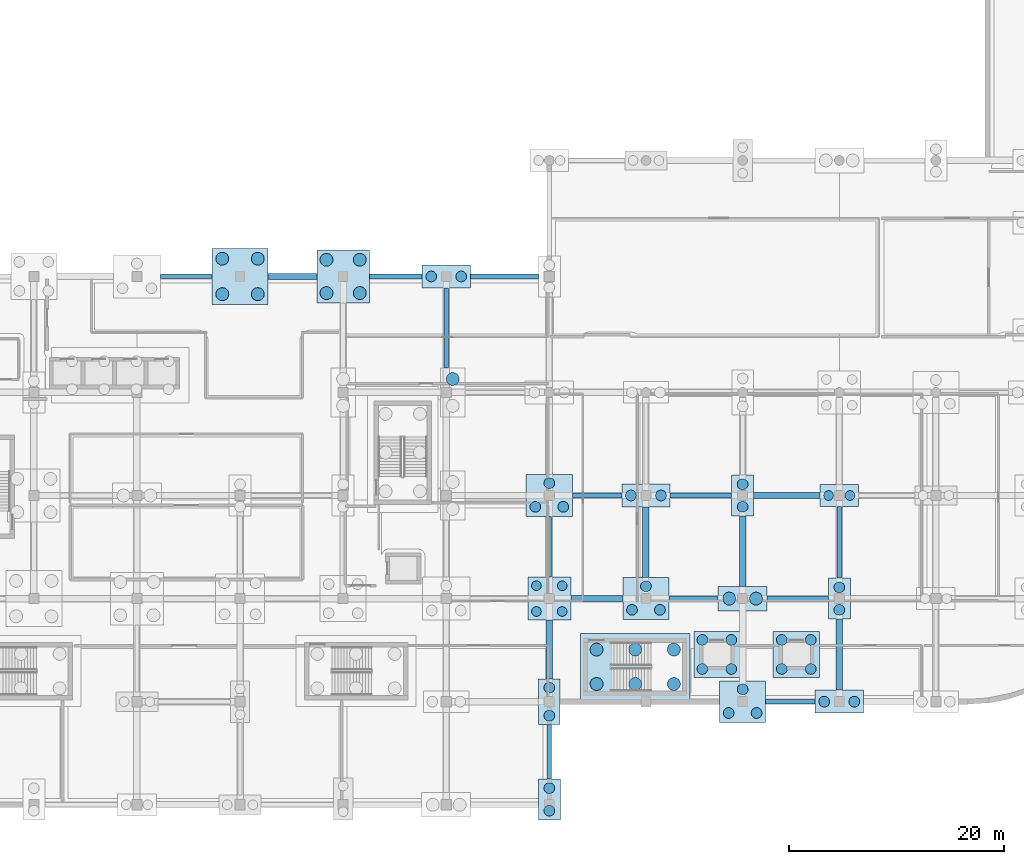
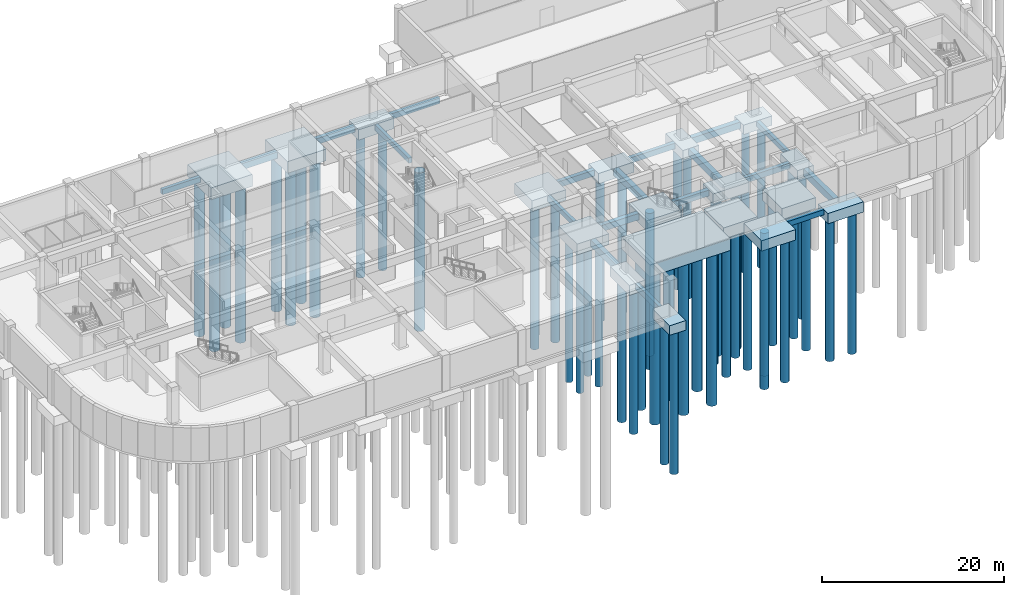
# One storey, part 3 of 47: 54 piles, 37 footings.
"""IFC4 building model written with IfcOpenShell, lengths in metres."""

from ifc_helpers import new_model, si_unit, direction, frame, origin, origin_2d, place, context, subcontext, project, spatial, rectangle, circle, extrude, material, material_profile, profile_set, type_object, element, save


model = new_model("IFC4")

# Units and contexts
model_context = context("Model", 3, precision=1e-05, world=origin(), true_north=direction((0.0, 1.0)))
body_context = subcontext(model_context, "Body", "Model", "MODEL_VIEW")
ifc_project = project(units=[si_unit("LENGTHUNIT", "METRE"), si_unit("AREAUNIT", "SQUARE_METRE"), si_unit("VOLUMEUNIT", "CUBIC_METRE"), si_unit("PLANEANGLEUNIT", "RADIAN"), si_unit("MASSUNIT", "GRAM", prefix="KILO")], contexts=[model_context])

# Site, building, storey
site_placement = place(None, origin())
site = spatial("IfcSite", under=ifc_project, at=site_placement, CompositionType="ELEMENT")
building_placement = place(site_placement, origin())
building = spatial("IfcBuilding", under=site, at=building_placement, Name="Cendralis Terraced Arcade", CompositionType="ELEMENT")
storey_placement = place(building_placement, frame((0.0, 0.0, -4.800048828125)))
storey = spatial("IfcBuildingStorey", under=building, at=storey_placement, Name="B1", CompositionType="ELEMENT", Elevation=-4.800048828125)

# Footings
ifc_material = material(Name="Concrete f'c 35 MPa", Category="concrete")
ifc_material_profile_1 = material_profile(ifc_material, rectangle(XDim=0.39990234375, YDim=0.699951171875, at=origin_2d()), Name="FB-400x700", Category="LoadBearing")
ifc_profile_set_1 = profile_set([ifc_material_profile_1], Name="Concrete f'c 35 MPa")
footing_type_1 = type_object("IfcFootingType", Name="FB-400x700", PredefinedType="FOOTING_BEAM", material=ifc_profile_set_1)
footing_1_placement = place(storey_placement, frame((87.35009765625, 9.60009765625, -0.800048828125), z_axis=(1.0, 0.0, 0.0), x_axis=(0.0, 1.0, 0.0)))
element("IfcFooting", 1, at=footing_1_placement, inside=storey, type_object=footing_type_1, Name="Reinforced Concrete Foundation Tie Beam FB-X-0014", PredefinedType="FOOTING_BEAM", context=body_context, shape_type="SweptSolid", body=[
    extrude(rectangle(XDim=0.39990234375, YDim=0.699951171875, at=origin_2d()), origin(), (0.0, 0.0, 1.0), 4.599853515625),
])
footing_2_placement = place(storey_placement, frame((31.0, 49.199951171875, -0.800048828125), z_axis=(1.0, 0.0, 0.0), x_axis=(0.0, 1.0, 0.0)))
element("IfcFooting", 2, at=footing_2_placement, inside=storey, type_object=footing_type_1, Name="Reinforced Concrete Foundation Tie Beam FB-X-0059", PredefinedType="FOOTING_BEAM", context=body_context, shape_type="SweptSolid", body=[
    extrude(rectangle(XDim=0.39990234375, YDim=0.699951171875, at=origin_2d()), origin(), (0.0, 0.0, 1.0), 4.800048828125),
])
footing_3_placement = place(storey_placement, frame((57.60009765625, 40.679931640625, -0.800048828125), z_axis=(0.0, 1.0, 0.0), x_axis=(-1.0, 0.0, 0.0)))
element("IfcFooting", 3, at=footing_3_placement, inside=storey, type_object=footing_type_1, Name="Reinforced Concrete Foundation Tie Beam FB-Y-0194", PredefinedType="FOOTING_BEAM", context=body_context, shape_type="SweptSolid", body=[
    extrude(rectangle(XDim=0.39990234375, YDim=0.699951171875, at=origin_2d()), origin(), (0.0, 0.0, 1.0), 7.445068359375),
])
footing_4_placement = place(storey_placement, frame((67.199951171875, 21.199951171875, -0.800048828125), z_axis=(0.0, 1.0, 0.0), x_axis=(-1.0, 0.0, 0.0)))
element("IfcFooting", 4, at=footing_4_placement, inside=storey, type_object=footing_type_1, Name="Reinforced Concrete Foundation Tie Beam FB-Y-0204", PredefinedType="FOOTING_BEAM", context=body_context, shape_type="SweptSolid", body=[
    extrude(rectangle(XDim=0.39990234375, YDim=0.699951171875, at=origin_2d()), origin(), (0.0, 0.0, 1.0), 5.650146484375),
])
footing_5_placement = place(storey_placement, frame((94.199951171875, 21.10009765625, -0.800048828125), z_axis=(0.0, 1.0, 0.0), x_axis=(-1.0, 0.0, 0.0)))
element("IfcFooting", 5, at=footing_5_placement, inside=storey, type_object=footing_type_1, Name="Reinforced Concrete Foundation Tie Beam FB-Y-0224", PredefinedType="FOOTING_BEAM", context=body_context, shape_type="SweptSolid", body=[
    extrude(rectangle(XDim=0.39990234375, YDim=0.699951171875, at=origin_2d()), origin(), (0.0, 0.0, 1.0), 6.6748046875),
])
ifc_material_profile_2 = material_profile(ifc_material, rectangle(XDim=0.449951171875, YDim=0.75, at=origin_2d()), Name="FB-450x750", Category="LoadBearing")
ifc_profile_set_2 = profile_set([ifc_material_profile_2], Name="Concrete f'c 35 MPa")
footing_type_2 = type_object("IfcFootingType", Name="FB-450x750", PredefinedType="FOOTING_BEAM", material=ifc_profile_set_2)
footing_6_placement = place(storey_placement, frame((87.47998046875, 19.199951171875, -0.824951171875), z_axis=(1.0, 0.0, 0.0), x_axis=(0.0, 1.0, 0.0)))
element("IfcFooting", 6, at=footing_6_placement, inside=storey, type_object=footing_type_2, Name="Reinforced Concrete Foundation Tie Beam FB-X-0027", PredefinedType="FOOTING_BEAM", context=body_context, shape_type="SweptSolid", body=[
    extrude(rectangle(XDim=0.449951171875, YDim=0.75, at=origin_2d()), origin(), (0.0, 0.0, 1.0), 5.695068359375),
])
footing_7_placement = place(storey_placement, frame((78.449951171875, 28.800048828125, -0.824951171875), z_axis=(1.0, 0.0, 0.0), x_axis=(0.0, 1.0, 0.0)))
element("IfcFooting", 7, at=footing_7_placement, inside=storey, type_object=footing_type_2, Name="Reinforced Concrete Foundation Tie Beam FB-X-0037", PredefinedType="FOOTING_BEAM", context=body_context, shape_type="SweptSolid", body=[
    extrude(rectangle(XDim=0.449951171875, YDim=0.75, at=origin_2d()), origin(), (0.0, 0.0, 1.0), 5.72509765625),
])
footing_8_placement = place(storey_placement, frame((59.85009765625, 49.199951171875, -0.824951171875), z_axis=(1.0, 0.0, 0.0), x_axis=(0.0, 1.0, 0.0)))
element("IfcFooting", 8, at=footing_8_placement, inside=storey, type_object=footing_type_2, Name="Reinforced Concrete Foundation Tie Beam FB-X-0062", PredefinedType="FOOTING_BEAM", context=body_context, shape_type="SweptSolid", body=[
    extrude(rectangle(XDim=0.449951171875, YDim=0.75, at=origin_2d()), origin(), (0.0, 0.0, 1.0), 6.324951171875),
])
footing_9_placement = place(storey_placement, frame((67.199951171875, 2.39990234375, -0.824951171875), z_axis=(0.0, 1.0, 0.0), x_axis=(-1.0, 0.0, 0.0)))
element("IfcFooting", 9, at=footing_9_placement, inside=storey, type_object=footing_type_2, Name="Reinforced Concrete Foundation Tie Beam FB-Y-0202", PredefinedType="FOOTING_BEAM", context=body_context, shape_type="SweptSolid", body=[
    extrude(rectangle(XDim=0.449951171875, YDim=0.75, at=origin_2d()), origin(), (0.0, 0.0, 1.0), 5.10009765625),
])
ifc_material_profile_3 = material_profile(ifc_material, rectangle(XDim=0.5, YDim=0.800048828125, at=origin_2d()), Name="FB-500x800", Category="LoadBearing")
ifc_profile_set_3 = profile_set([ifc_material_profile_3], Name="Concrete f'c 35 MPa")
footing_type_3 = type_object("IfcFootingType", Name="FB-500x800", PredefinedType="FOOTING_BEAM", material=ifc_profile_set_3)
footing_10_placement = place(storey_placement, frame((78.35009765625, 19.199951171875, -0.849853515625), z_axis=(1.0, 0.0, 0.0), x_axis=(0.0, 1.0, 0.0)))
element("IfcFooting", 10, at=footing_10_placement, inside=storey, type_object=footing_type_3, Name="Reinforced Concrete Foundation Tie Beam FB-X-0026", PredefinedType="FOOTING_BEAM", context=body_context, shape_type="SweptSolid", body=[
    extrude(rectangle(XDim=0.5, YDim=0.800048828125, at=origin_2d()), origin(), (0.0, 0.0, 1.0), 4.56982421875),
])
footing_11_placement = place(storey_placement, frame((69.35009765625, 28.800048828125, -0.849853515625), z_axis=(1.0, 0.0, 0.0), x_axis=(0.0, 1.0, 0.0)))
element("IfcFooting", 11, at=footing_11_placement, inside=storey, type_object=footing_type_3, Name="Reinforced Concrete Foundation Tie Beam FB-X-0036", PredefinedType="FOOTING_BEAM", context=body_context, shape_type="SweptSolid", body=[
    extrude(rectangle(XDim=0.5, YDim=0.800048828125, at=origin_2d()), origin(), (0.0, 0.0, 1.0), 4.599853515625),
])
footing_12_placement = place(storey_placement, frame((50.449951171875, 49.199951171875, -0.849853515625), z_axis=(1.0, 0.0, 0.0), x_axis=(0.0, 1.0, 0.0)))
element("IfcFooting", 12, at=footing_12_placement, inside=storey, type_object=footing_type_3, Name="Reinforced Concrete Foundation Tie Beam FB-X-0061", PredefinedType="FOOTING_BEAM", context=body_context, shape_type="SweptSolid", body=[
    extrude(rectangle(XDim=0.5, YDim=0.800048828125, at=origin_2d()), origin(), (0.0, 0.0, 1.0), 4.900146484375),
])
ifc_material_profile_4 = material_profile(ifc_material, rectangle(XDim=0.550048828125, YDim=0.85009765625, at=origin_2d()), Name="FB-550x850", Category="LoadBearing")
ifc_profile_set_4 = profile_set([ifc_material_profile_4], Name="Concrete f'c 35 MPa")
footing_type_4 = type_object("IfcFootingType", Name="FB-550x850", PredefinedType="FOOTING_BEAM", material=ifc_profile_set_4)
footing_13_placement = place(storey_placement, frame((69.199951171875, 19.199951171875, -0.875), z_axis=(1.0, 0.0, 0.0), x_axis=(0.0, 1.0, 0.0)))
element("IfcFooting", 13, at=footing_13_placement, inside=storey, type_object=footing_type_4, Name="Reinforced Concrete Foundation Tie Beam FB-X-0025", PredefinedType="FOOTING_BEAM", context=body_context, shape_type="SweptSolid", body=[
    extrude(rectangle(XDim=0.550048828125, YDim=0.85009765625, at=origin_2d()), origin(), (0.0, 0.0, 1.0), 4.85009765625),
])
footing_14_placement = place(storey_placement, frame((41.0, 49.199951171875, -0.875), z_axis=(1.0, 0.0, 0.0), x_axis=(0.0, 1.0, 0.0)))
element("IfcFooting", 14, at=footing_14_placement, inside=storey, type_object=footing_type_4, Name="Reinforced Concrete Foundation Tie Beam FB-X-0060", PredefinedType="FOOTING_BEAM", context=body_context, shape_type="SweptSolid", body=[
    extrude(rectangle(XDim=0.550048828125, YDim=0.85009765625, at=origin_2d()), origin(), (0.0, 0.0, 1.0), 4.550048828125),
])
ifc_material_profile_5 = material_profile(ifc_material, rectangle(XDim=0.60009765625, YDim=0.89990234375, at=origin_2d()), Name="FB-600x900", Category="LoadBearing")
ifc_profile_set_5 = profile_set([ifc_material_profile_5], Name="Concrete f'c 35 MPa")
footing_type_5 = type_object("IfcFootingType", Name="FB-600x900", PredefinedType="FOOTING_BEAM", material=ifc_profile_set_5)
footing_15_placement = place(storey_placement, frame((86.22509765625, 28.800048828125, -0.89990234375), z_axis=(1.0, 0.0, 0.0), x_axis=(0.0, 1.0, 0.0)))
element("IfcFooting", 15, at=footing_15_placement, inside=storey, type_object=footing_type_5, Name="Reinforced Concrete Foundation Tie Beam FB-X-0038", PredefinedType="FOOTING_BEAM", context=body_context, shape_type="SweptSolid", body=[
    extrude(rectangle(XDim=0.60009765625, YDim=0.89990234375, at=origin_2d()), origin(), (0.0, 0.0, 1.0), 6.1748046875),
])
footing_16_placement = place(storey_placement, frame((67.199951171875, 11.699951171875, -0.89990234375), z_axis=(0.0, 1.0, 0.0), x_axis=(-1.0, 0.0, 0.0)))
element("IfcFooting", 16, at=footing_16_placement, inside=storey, type_object=footing_type_5, Name="Reinforced Concrete Foundation Tie Beam FB-Y-0203", PredefinedType="FOOTING_BEAM", context=body_context, shape_type="SweptSolid", body=[
    extrude(rectangle(XDim=0.60009765625, YDim=0.89990234375, at=origin_2d()), origin(), (0.0, 0.0, 1.0), 5.5),
])
footing_17_placement = place(storey_placement, frame((76.199951171875, 21.14990234375, -0.89990234375), z_axis=(0.0, 1.0, 0.0), x_axis=(-1.0, 0.0, 0.0)))
element("IfcFooting", 17, at=footing_17_placement, inside=storey, type_object=footing_type_5, Name="Reinforced Concrete Foundation Tie Beam FB-Y-0213", PredefinedType="FOOTING_BEAM", context=body_context, shape_type="SweptSolid", body=[
    extrude(rectangle(XDim=0.60009765625, YDim=0.89990234375, at=origin_2d()), origin(), (0.0, 0.0, 1.0), 6.5751953125),
])
footing_18_placement = place(storey_placement, frame((85.199951171875, 20.35009765625, -0.89990234375), z_axis=(0.0, 1.0, 0.0), x_axis=(-1.0, 0.0, 0.0)))
element("IfcFooting", 18, at=footing_18_placement, inside=storey, type_object=footing_type_5, Name="Reinforced Concrete Foundation Tie Beam FB-Y-0218", PredefinedType="FOOTING_BEAM", context=body_context, shape_type="SweptSolid", body=[
    extrude(rectangle(XDim=0.60009765625, YDim=0.89990234375, at=origin_2d()), origin(), (0.0, 0.0, 1.0), 6.5498046875),
])
footing_19_placement = place(storey_placement, frame((94.199951171875, 10.675048828125, -0.89990234375), z_axis=(0.0, 1.0, 0.0), x_axis=(-1.0, 0.0, 0.0)))
element("IfcFooting", 19, at=footing_19_placement, inside=storey, type_object=footing_type_5, Name="Reinforced Concrete Foundation Tie Beam FB-Y-0223", PredefinedType="FOOTING_BEAM", context=body_context, shape_type="SweptSolid", body=[
    extrude(rectangle(XDim=0.60009765625, YDim=0.89990234375, at=origin_2d()), origin(), (0.0, 0.0, 1.0), 6.625),
])
footing_type_6 = type_object("IfcFootingType", Name="PC-2P-2000x4200x1350", PredefinedType="PILE_CAP", material=ifc_material)
footing_20_placement = place(storey_placement, frame((67.199951171875, 9.60009765625, -1.800048828125), z_axis=(0.0, 0.0, 1.0), x_axis=(1.0, 0.0, 0.0)))
element("IfcFooting", 20, at=footing_20_placement, inside=storey, type_object=footing_type_6, Name="Reinforced Concrete Bored Pile Cap CAP-G8-B", PredefinedType="PILE_CAP", context=body_context, shape_type="SweptSolid", body=[
    extrude(rectangle(XDim=2.0, YDim=4.199951171875, at=origin_2d()), origin(), (0.0, 0.0, 1.0), 1.35009765625),
])
footing_type_7 = type_object("IfcFootingType", Name="PC-2P-2050x3800x1280", PredefinedType="PILE_CAP", material=ifc_material)
for number, where, z_axis, x_axis, name in (
    (21, (85.199951171875, 28.800048828125, -1.72998046875), (0.0, 0.0, 1.0), (1.0, 0.0, 0.0), "Reinforced Concrete Bored Pile Cap CAP-G10-D"),
    (22, (94.199951171875, 19.199951171875, -1.72998046875), (0.0, 0.0, 1.0), (1.0, 0.0, 0.0), "Reinforced Concrete Bored Pile Cap CAP-G11-C"),
    (23, (67.199951171875, 0.5, -1.72998046875), (0.0, 0.0, 1.0), (1.0, 0.0, 0.0), "Reinforced Concrete Bored Pile Cap CAP-G8-A"),
):
    element("IfcFooting", number, at=place(storey_placement, frame(where, z_axis=z_axis, x_axis=x_axis)), inside=storey, type_object=footing_type_7, Name=name, PredefinedType="PILE_CAP", context=body_context, shape_type="SweptSolid", body=[
        extrude(rectangle(XDim=2.050048828125, YDim=3.800048828125, at=origin_2d()), origin(), (0.0, 0.0, 1.0), 1.280029296875),
    ])
footing_type_8 = type_object("IfcFootingType", Name="PC-2P-3600x2050x1260", PredefinedType="PILE_CAP", material=ifc_material)
footing_21_placement = place(storey_placement, frame((94.199951171875, 28.800048828125, -1.7099609375), z_axis=(0.0, 0.0, 1.0), x_axis=(1.0, 0.0, 0.0)))
element("IfcFooting", 24, at=footing_21_placement, inside=storey, type_object=footing_type_8, Name="Reinforced Concrete Bored Pile Cap CAP-G11-D", PredefinedType="PILE_CAP", context=body_context, shape_type="SweptSolid", body=[
    extrude(rectangle(XDim=3.60009765625, YDim=2.050048828125, at=origin_2d()), origin(), (0.0, 0.0, 1.0), 1.260009765625),
])
footing_type_9 = type_object("IfcFootingType", Name="PC-2P-4500x2150x1380", PredefinedType="PILE_CAP", material=ifc_material)
for number, where, z_axis, x_axis, name in (
    (25, (94.199951171875, 9.60009765625, -1.829833984375), (0.0, 0.0, 1.0), (1.0, 0.0, 0.0), "Reinforced Concrete Bored Pile Cap CAP-G11-B"),
    (26, (57.60009765625, 49.199951171875, -1.829833984375), (0.0, 0.0, 1.0), (1.0, 0.0, 0.0), "Reinforced Concrete Bored Pile Cap CAP-G7-F"),
    (27, (76.199951171875, 28.800048828125, -1.829833984375), (0.0, 0.0, 1.0), (1.0, 0.0, 0.0), "Reinforced Concrete Bored Pile Cap CAP-G9-D"),
):
    element("IfcFooting", number, at=place(storey_placement, frame(where, z_axis=z_axis, x_axis=x_axis)), inside=storey, type_object=footing_type_9, Name=name, PredefinedType="PILE_CAP", context=body_context, shape_type="SweptSolid", body=[
        extrude(rectangle(XDim=4.5, YDim=2.14990234375, at=origin_2d()), origin(), (0.0, 0.0, 1.0), 1.3798828125),
    ])
footing_type_10 = type_object("IfcFootingType", Name="PC-2P-4560x2300x1320", PredefinedType="PILE_CAP", material=ifc_material)
footing_22_placement = place(storey_placement, frame((85.199951171875, 19.199951171875, -1.77001953125), z_axis=(0.0, 0.0, 1.0), x_axis=(1.0, 0.0, 0.0)))
element("IfcFooting", 28, at=footing_22_placement, inside=storey, type_object=footing_type_10, Name="Reinforced Concrete Bored Pile Cap CAP-G10-C", PredefinedType="PILE_CAP", context=body_context, shape_type="SweptSolid", body=[
    extrude(rectangle(XDim=4.56005859375, YDim=2.300048828125, at=origin_2d()), origin(), (0.0, 0.0, 1.0), 1.320068359375),
])
footing_type_11 = type_object("IfcFootingType", Name="PC-3P-4300x3900x1400", PredefinedType="PILE_CAP", material=ifc_material)
for number, where, z_axis, x_axis, name in (
    (29, (85.199951171875, 9.60009765625, -1.849853515625), (0.0, 0.0, 1.0), (1.0, 0.0, 0.0), "Reinforced Concrete Bored Pile Cap CAP-G10-B"),
    (30, (67.199951171875, 28.800048828125, -1.849853515625), (0.0, 0.0, 1.0), (1.0, 0.0, 0.0), "Reinforced Concrete Bored Pile Cap CAP-G8-D"),
    (31, (76.199951171875, 19.199951171875, -1.849853515625), (0.0, 0.0, 1.0), (1.0, 0.0, 0.0), "Reinforced Concrete Bored Pile Cap CAP-G9-C"),
):
    element("IfcFooting", number, at=place(storey_placement, frame(where, z_axis=z_axis, x_axis=x_axis)), inside=storey, type_object=footing_type_11, Name=name, PredefinedType="PILE_CAP", context=body_context, shape_type="SweptSolid", body=[
        extrude(rectangle(XDim=4.300048828125, YDim=3.89990234375, at=origin_2d()), origin(), (0.0, 0.0, 1.0), 1.39990234375),
    ])
footing_type_12 = type_object("IfcFootingType", Name="PC-4P-4000x4000x1450", PredefinedType="PILE_CAP", material=ifc_material)
footing_23_placement = place(storey_placement, frame((67.199951171875, 19.199951171875, -1.89990234375), z_axis=(0.0, 0.0, 1.0), x_axis=(1.0, 0.0, 0.0)))
element("IfcFooting", 32, at=footing_23_placement, inside=storey, type_object=footing_type_12, Name="Reinforced Concrete Bored Pile Cap CAP-G8-C", PredefinedType="PILE_CAP", context=body_context, shape_type="SweptSolid", body=[
    extrude(rectangle(XDim=4.0, YDim=4.0, at=origin_2d()), origin(), (0.0, 0.0, 1.0), 1.449951171875),
])
footing_type_13 = type_object("IfcFootingType", Name="PC-4P-4300x4300x1480", PredefinedType="PILE_CAP", material=ifc_material)
for number, where, z_axis, x_axis, name in (
    (33, (82.800048828125, 14.0, -1.929931640625), (0.0, 0.0, 1.0), (1.0, 0.0, 0.0), "Reinforced Concrete Bored Pile Cap CAP-PL-07"),
    (34, (90.199951171875, 14.0, -1.929931640625), (0.0, 0.0, 1.0), (1.0, 0.0, 0.0), "Reinforced Concrete Bored Pile Cap CAP-PL-08"),
):
    element("IfcFooting", number, at=place(storey_placement, frame(where, z_axis=z_axis, x_axis=x_axis)), inside=storey, type_object=footing_type_13, Name=name, PredefinedType="PILE_CAP", context=body_context, shape_type="SweptSolid", body=[
        extrude(rectangle(XDim=4.300048828125, YDim=4.300048828125, at=origin_2d()), origin(), (0.0, 0.0, 1.0), 1.47998046875),
    ])
footing_type_14 = type_object("IfcFootingType", Name="PC-4P-4900x4900x1560", PredefinedType="PILE_CAP", material=ifc_material)
footing_24_placement = place(storey_placement, frame((48.0, 49.199951171875, -2.010009765625), z_axis=(0.0, 0.0, 1.0), x_axis=(1.0, 0.0, 0.0)))
element("IfcFooting", 35, at=footing_24_placement, inside=storey, type_object=footing_type_14, Name="Reinforced Concrete Bored Pile Cap CAP-G6-F", PredefinedType="PILE_CAP", context=body_context, shape_type="SweptSolid", body=[
    extrude(rectangle(XDim=4.89990234375, YDim=4.89990234375, at=origin_2d()), origin(), (0.0, 0.0, 1.0), 1.56005859375),
])
footing_type_15 = type_object("IfcFootingType", Name="PC-4P-5200x5200x1600", PredefinedType="PILE_CAP", material=ifc_material)
footing_25_placement = place(storey_placement, frame((38.39990234375, 49.199951171875, -2.050048828125), z_axis=(0.0, 0.0, 1.0), x_axis=(1.0, 0.0, 0.0)))
element("IfcFooting", 36, at=footing_25_placement, inside=storey, type_object=footing_type_15, Name="Reinforced Concrete Bored Pile Cap CAP-G5-F", PredefinedType="PILE_CAP", context=body_context, shape_type="SweptSolid", body=[
    extrude(rectangle(XDim=5.199951171875, YDim=5.199951171875, at=origin_2d()), origin(), (0.0, 0.0, 1.0), 1.60009765625),
])
footing_type_16 = type_object("IfcFootingType", Name="PC-CORE-10200x6200x1600", PredefinedType="PILE_CAP", material=ifc_material)
footing_26_placement = place(storey_placement, frame((75.199951171875, 12.85009765625, -2.050048828125), z_axis=(0.0, 0.0, 1.0), x_axis=(1.0, 0.0, 0.0)))
element("IfcFooting", 37, at=footing_26_placement, inside=storey, type_object=footing_type_16, Name="Reinforced Concrete Bored Pile Cap CAP-ST-08", PredefinedType="PILE_CAP", context=body_context, shape_type="SweptSolid", body=[
    extrude(rectangle(XDim=10.199951171875, YDim=6.199951171875, at=origin_2d()), origin(), (0.0, 0.0, 1.0), 1.60009765625),
])

# Piles
ifc_material_profile_6 = material_profile(ifc_material, circle(Radius=0.5, at=origin_2d()), Name="PILE-D1000", Category="LoadBearing")
ifc_profile_set_6 = profile_set([ifc_material_profile_6], Name="Concrete f'c 35 MPa")
pile_type_1 = type_object("IfcPileType", Name="PILE-1000", PredefinedType="BORED", material=ifc_profile_set_6)
for number, where, z_axis, x_axis, name in (
    (38, (81.449951171875, 12.64990234375, -1.829833984375), (0.0, 0.0, -1.0), (1.0, 0.0, 0.0), "Bored Concrete Pile PILE-C-CAP-PL-07-4--135_-135"),
    (39, (84.14990234375, 12.64990234375, -1.829833984375), (0.0, 0.0, -1.0), (1.0, 0.0, 0.0), "Bored Concrete Pile PILE-C-CAP-PL-07-4-135_-135"),
    (40, (81.449951171875, 15.35009765625, -1.829833984375), (0.0, 0.0, -1.0), (1.0, 0.0, 0.0), "Bored Concrete Pile PILE-C-CAP-PL-07-4--135_135"),
    (41, (84.14990234375, 15.35009765625, -1.829833984375), (0.0, 0.0, -1.0), (1.0, 0.0, 0.0), "Bored Concrete Pile PILE-C-CAP-PL-07-4-135_135"),
    (42, (88.85009765625, 12.64990234375, -1.829833984375), (0.0, 0.0, -1.0), (1.0, 0.0, 0.0), "Bored Concrete Pile PILE-C-CAP-PL-08-4--135_-135"),
    (43, (91.550048828125, 12.64990234375, -1.829833984375), (0.0, 0.0, -1.0), (1.0, 0.0, 0.0), "Bored Concrete Pile PILE-C-CAP-PL-08-4-135_-135"),
    (44, (88.85009765625, 15.35009765625, -1.829833984375), (0.0, 0.0, -1.0), (1.0, 0.0, 0.0), "Bored Concrete Pile PILE-C-CAP-PL-08-4--135_135"),
    (45, (91.550048828125, 15.35009765625, -1.829833984375), (0.0, 0.0, -1.0), (1.0, 0.0, 0.0), "Bored Concrete Pile PILE-C-CAP-PL-08-4-135_135"),
):
    element("IfcPile", number, at=place(storey_placement, frame(where, z_axis=z_axis, x_axis=x_axis)), inside=storey, type_object=pile_type_1, Name=name, PredefinedType="BORED", context=body_context, shape_type="SweptSolid", body=[
        extrude(circle(Radius=0.5, at=origin_2d()), origin(), (0.0, 0.0, 1.0), 19.070068359375),
    ])
for number, where, z_axis, x_axis, name in (
    (46, (83.89990234375, 8.550048828125, -1.75), (0.0, 0.0, -1.0), (1.0, 0.0, 0.0), "Bored Concrete Pile PILE-C-CAP-G10-B-3--130_-105"),
    (47, (86.5, 8.550048828125, -1.75), (0.0, 0.0, -1.0), (1.0, 0.0, 0.0), "Bored Concrete Pile PILE-C-CAP-G10-B-3-130_-105"),
    (48, (85.199951171875, 10.75, -1.75), (0.0, 0.0, -1.0), (1.0, 0.0, 0.0), "Bored Concrete Pile PILE-C-CAP-G10-B-3-0_115"),
):
    element("IfcPile", number, at=place(storey_placement, frame(where, z_axis=z_axis, x_axis=x_axis)), inside=storey, type_object=pile_type_1, Name=name, PredefinedType="BORED", context=body_context, shape_type="SweptSolid", body=[
        extrude(circle(Radius=0.5, at=origin_2d()), origin(), (0.0, 0.0, 1.0), 19.14990234375),
    ])
for number, where, z_axis, x_axis, name in (
    (49, (85.199951171875, 27.75, -1.6298828125), (0.0, 0.0, -1.0), (1.0, 0.0, 0.0), "Bored Concrete Pile PILE-C-CAP-G10-D-1-0_-105"),
    (50, (85.199951171875, 29.85009765625, -1.6298828125), (0.0, 0.0, -1.0), (1.0, 0.0, 0.0), "Bored Concrete Pile PILE-B-CAP-G10-D-1"),
):
    element("IfcPile", number, at=place(storey_placement, frame(where, z_axis=z_axis, x_axis=x_axis)), inside=storey, type_object=pile_type_1, Name=name, PredefinedType="BORED", context=body_context, shape_type="SweptSolid", body=[
        extrude(circle(Radius=0.5, at=origin_2d()), origin(), (0.0, 0.0, 1.0), 19.27001953125),
    ])
for number, where, z_axis, x_axis, name in (
    (51, (92.800048828125, 9.60009765625, -1.72998046875), (0.0, 0.0, -1.0), (1.0, 0.0, 0.0), "Bored Concrete Pile PILE-C-CAP-G11-B-2--140_0"),
    (52, (95.60009765625, 9.60009765625, -1.72998046875), (0.0, 0.0, -1.0), (1.0, 0.0, 0.0), "Bored Concrete Pile PILE-C-CAP-G11-B-2-140_0"),
):
    element("IfcPile", number, at=place(storey_placement, frame(where, z_axis=z_axis, x_axis=x_axis)), inside=storey, type_object=pile_type_1, Name=name, PredefinedType="BORED", context=body_context, shape_type="SweptSolid", body=[
        extrude(circle(Radius=0.5, at=origin_2d()), origin(), (0.0, 0.0, 1.0), 19.169921875),
    ])
for number, where, z_axis, x_axis, name in (
    (53, (94.199951171875, 18.14990234375, -1.6298828125), (0.0, 0.0, -1.0), (1.0, 0.0, 0.0), "Bored Concrete Pile PILE-C-CAP-G11-C-1-0_-105"),
    (54, (94.199951171875, 20.25, -1.6298828125), (0.0, 0.0, -1.0), (1.0, 0.0, 0.0), "Bored Concrete Pile PILE-B-CAP-G11-C-1"),
):
    element("IfcPile", number, at=place(storey_placement, frame(where, z_axis=z_axis, x_axis=x_axis)), inside=storey, type_object=pile_type_1, Name=name, PredefinedType="BORED", context=body_context, shape_type="SweptSolid", body=[
        extrude(circle(Radius=0.5, at=origin_2d()), origin(), (0.0, 0.0, 1.0), 19.27001953125),
    ])
for number, where, z_axis, x_axis, name in (
    (55, (56.199951171875, 49.199951171875, -1.72998046875), (0.0, 0.0, -1.0), (1.0, 0.0, 0.0), "Bored Concrete Pile PILE-C-CAP-G7-F-2--140_0"),
    (56, (59.0, 49.199951171875, -1.72998046875), (0.0, 0.0, -1.0), (1.0, 0.0, 0.0), "Bored Concrete Pile PILE-C-CAP-G7-F-2-140_0"),
):
    element("IfcPile", number, at=place(storey_placement, frame(where, z_axis=z_axis, x_axis=x_axis)), inside=storey, type_object=pile_type_1, Name=name, PredefinedType="BORED", context=body_context, shape_type="SweptSolid", body=[
        extrude(circle(Radius=0.5, at=origin_2d()), origin(), (0.0, 0.0, 1.0), 19.169921875),
    ])
for number, where, z_axis, x_axis, name in (
    (57, (67.199951171875, -0.550048828125, -1.6298828125), (0.0, 0.0, -1.0), (1.0, 0.0, 0.0), "Bored Concrete Pile PILE-C-CAP-G8-A-1-0_-105"),
    (58, (67.199951171875, 1.550048828125, -1.6298828125), (0.0, 0.0, -1.0), (1.0, 0.0, 0.0), "Bored Concrete Pile PILE-B-CAP-G8-A-1"),
):
    element("IfcPile", number, at=place(storey_placement, frame(where, z_axis=z_axis, x_axis=x_axis)), inside=storey, type_object=pile_type_1, Name=name, PredefinedType="BORED", context=body_context, shape_type="SweptSolid", body=[
        extrude(circle(Radius=0.5, at=origin_2d()), origin(), (0.0, 0.0, 1.0), 19.27001953125),
    ])
for number, where, z_axis, x_axis, name in (
    (59, (67.199951171875, 8.300048828125, -1.699951171875), (0.0, 0.0, -1.0), (1.0, 0.0, 0.0), "Bored Concrete Pile PILE-C-CAP-G8-B-2-0_-130"),
    (60, (67.199951171875, 10.89990234375, -1.699951171875), (0.0, 0.0, -1.0), (1.0, 0.0, 0.0), "Bored Concrete Pile PILE-C-CAP-G8-B-2-0_130"),
):
    element("IfcPile", number, at=place(storey_placement, frame(where, z_axis=z_axis, x_axis=x_axis)), inside=storey, type_object=pile_type_1, Name=name, PredefinedType="BORED", context=body_context, shape_type="SweptSolid", body=[
        extrude(circle(Radius=0.5, at=origin_2d()), origin(), (0.0, 0.0, 1.0), 19.199951171875),
    ])
for number, where, z_axis, x_axis, name in (
    (61, (65.89990234375, 27.75, -1.75), (0.0, 0.0, -1.0), (1.0, 0.0, 0.0), "Bored Concrete Pile PILE-C-CAP-G8-D-3--130_-105"),
    (62, (68.5, 27.75, -1.75), (0.0, 0.0, -1.0), (1.0, 0.0, 0.0), "Bored Concrete Pile PILE-C-CAP-G8-D-3-130_-105"),
    (63, (67.199951171875, 29.949951171875, -1.75), (0.0, 0.0, -1.0), (1.0, 0.0, 0.0), "Bored Concrete Pile PILE-C-CAP-G8-D-3-0_115"),
    (64, (74.89990234375, 18.14990234375, -1.75), (0.0, 0.0, -1.0), (1.0, 0.0, 0.0), "Bored Concrete Pile PILE-C-CAP-G9-C-3--130_-105"),
    (65, (77.5, 18.14990234375, -1.75), (0.0, 0.0, -1.0), (1.0, 0.0, 0.0), "Bored Concrete Pile PILE-C-CAP-G9-C-3-130_-105"),
    (66, (76.199951171875, 20.35009765625, -1.75), (0.0, 0.0, -1.0), (1.0, 0.0, 0.0), "Bored Concrete Pile PILE-C-CAP-G9-C-3-0_115"),
):
    element("IfcPile", number, at=place(storey_placement, frame(where, z_axis=z_axis, x_axis=x_axis)), inside=storey, type_object=pile_type_1, Name=name, PredefinedType="BORED", context=body_context, shape_type="SweptSolid", body=[
        extrude(circle(Radius=0.5, at=origin_2d()), origin(), (0.0, 0.0, 1.0), 19.14990234375),
    ])
for number, where, z_axis, x_axis, name in (
    (67, (74.800048828125, 28.800048828125, -1.72998046875), (0.0, 0.0, -1.0), (1.0, 0.0, 0.0), "Bored Concrete Pile PILE-C-CAP-G9-D-2--140_0"),
    (68, (77.60009765625, 28.800048828125, -1.72998046875), (0.0, 0.0, -1.0), (1.0, 0.0, 0.0), "Bored Concrete Pile PILE-C-CAP-G9-D-2-140_0"),
):
    element("IfcPile", number, at=place(storey_placement, frame(where, z_axis=z_axis, x_axis=x_axis)), inside=storey, type_object=pile_type_1, Name=name, PredefinedType="BORED", context=body_context, shape_type="SweptSolid", body=[
        extrude(circle(Radius=0.5, at=origin_2d()), origin(), (0.0, 0.0, 1.0), 19.169921875),
    ])
ifc_material_profile_7 = material_profile(ifc_material, circle(Radius=0.60009765625, at=origin_2d()), Name="PILE-D1200", Category="LoadBearing")
ifc_profile_set_7 = profile_set([ifc_material_profile_7], Name="Concrete f'c 35 MPa")
pile_type_2 = type_object("IfcPileType", Name="PILE-1200", PredefinedType="BORED", material=ifc_profile_set_7)
for number, where, z_axis, x_axis, name in (
    (69, (71.60009765625, 11.25, -1.949951171875), (0.0, 0.0, -1.0), (1.0, 0.0, 0.0), "Bored Concrete Pile PILE-C-CAP-ST-08-6--360_-160"),
    (70, (71.60009765625, 14.449951171875, -1.949951171875), (0.0, 0.0, -1.0), (1.0, 0.0, 0.0), "Bored Concrete Pile PILE-C-CAP-ST-08-6--360_160"),
    (71, (75.199951171875, 11.25, -1.949951171875), (0.0, 0.0, -1.0), (1.0, 0.0, 0.0), "Bored Concrete Pile PILE-C-CAP-ST-08-6-0_-160"),
    (72, (75.199951171875, 14.449951171875, -1.949951171875), (0.0, 0.0, -1.0), (1.0, 0.0, 0.0), "Bored Concrete Pile PILE-C-CAP-ST-08-6-0_160"),
    (73, (78.800048828125, 11.25, -1.949951171875), (0.0, 0.0, -1.0), (1.0, 0.0, 0.0), "Bored Concrete Pile PILE-C-CAP-ST-08-6-360_-160"),
    (74, (78.800048828125, 14.449951171875, -1.949951171875), (0.0, 0.0, -1.0), (1.0, 0.0, 0.0), "Bored Concrete Pile PILE-C-CAP-ST-08-6-360_160"),
):
    element("IfcPile", number, at=place(storey_placement, frame(where, z_axis=z_axis, x_axis=x_axis)), inside=storey, type_object=pile_type_2, Name=name, PredefinedType="BORED", context=body_context, shape_type="SweptSolid", body=[
        extrude(circle(Radius=0.60009765625, at=origin_2d()), origin(), (0.0, 0.0, 1.0), 20.949951171875),
    ])
for number, where, z_axis, x_axis, name in (
    (75, (83.949951171875, 19.199951171875, -1.669921875), (0.0, 0.0, -1.0), (1.0, 0.0, 0.0), "Bored Concrete Pile PILE-C-CAP-G10-C-1--125_0"),
    (76, (86.449951171875, 19.199951171875, -1.669921875), (0.0, 0.0, -1.0), (1.0, 0.0, 0.0), "Bored Concrete Pile PILE-B-CAP-G10-C-1"),
):
    element("IfcPile", number, at=place(storey_placement, frame(where, z_axis=z_axis, x_axis=x_axis)), inside=storey, type_object=pile_type_2, Name=name, PredefinedType="BORED", context=body_context, shape_type="SweptSolid", body=[
        extrude(circle(Radius=0.60009765625, at=origin_2d()), origin(), (0.0, 0.0, 1.0), 21.22998046875),
    ])
for number, where, z_axis, x_axis, name in (
    (77, (36.75, 47.550048828125, -1.949951171875), (0.0, 0.0, -1.0), (1.0, 0.0, 0.0), "Bored Concrete Pile PILE-C-CAP-G5-F-4--165_-165"),
    (78, (40.050048828125, 47.550048828125, -1.949951171875), (0.0, 0.0, -1.0), (1.0, 0.0, 0.0), "Bored Concrete Pile PILE-C-CAP-G5-F-4-165_-165"),
    (79, (36.75, 50.85009765625, -1.949951171875), (0.0, 0.0, -1.0), (1.0, 0.0, 0.0), "Bored Concrete Pile PILE-C-CAP-G5-F-4--165_165"),
    (80, (40.050048828125, 50.85009765625, -1.949951171875), (0.0, 0.0, -1.0), (1.0, 0.0, 0.0), "Bored Concrete Pile PILE-C-CAP-G5-F-4-165_165"),
):
    element("IfcPile", number, at=place(storey_placement, frame(where, z_axis=z_axis, x_axis=x_axis)), inside=storey, type_object=pile_type_2, Name=name, PredefinedType="BORED", context=body_context, shape_type="SweptSolid", body=[
        extrude(circle(Radius=0.60009765625, at=origin_2d()), origin(), (0.0, 0.0, 1.0), 20.949951171875),
    ])
for number, where, z_axis, x_axis, name in (
    (81, (46.449951171875, 47.64990234375, -1.909912109375), (0.0, 0.0, -1.0), (1.0, 0.0, 0.0), "Bored Concrete Pile PILE-C-CAP-G6-F-4--155_-155"),
    (82, (49.550048828125, 47.64990234375, -1.909912109375), (0.0, 0.0, -1.0), (1.0, 0.0, 0.0), "Bored Concrete Pile PILE-C-CAP-G6-F-4-155_-155"),
    (83, (46.449951171875, 50.75, -1.909912109375), (0.0, 0.0, -1.0), (1.0, 0.0, 0.0), "Bored Concrete Pile PILE-C-CAP-G6-F-4--155_155"),
    (84, (49.550048828125, 50.75, -1.909912109375), (0.0, 0.0, -1.0), (1.0, 0.0, 0.0), "Bored Concrete Pile PILE-C-CAP-G6-F-4-155_155"),
):
    element("IfcPile", number, at=place(storey_placement, frame(where, z_axis=z_axis, x_axis=x_axis)), inside=storey, type_object=pile_type_2, Name=name, PredefinedType="BORED", context=body_context, shape_type="SweptSolid", body=[
        extrude(circle(Radius=0.60009765625, at=origin_2d()), origin(), (0.0, 0.0, 1.0), 20.989990234375),
    ])
pile_placement = place(storey_placement, frame((58.199951171875, 39.64990234375, -1.669921875), z_axis=(0.0, 0.0, -1.0), x_axis=(1.0, 0.0, 0.0)))
element("IfcPile", 85, at=pile_placement, inside=storey, type_object=pile_type_2, Name="Bored Concrete Pile PILE-B-CAP-G7-E-1", PredefinedType="BORED", context=body_context, shape_type="SweptSolid", body=[
    extrude(circle(Radius=0.60009765625, at=origin_2d()), origin(), (0.0, 0.0, 1.0), 21.22998046875),
])
ifc_material_profile_8 = material_profile(ifc_material, circle(Radius=0.449951171875, at=origin_2d()), Name="PILE-D900", Category="LoadBearing")
ifc_profile_set_8 = profile_set([ifc_material_profile_8], Name="Concrete f'c 35 MPa")
pile_type_3 = type_object("IfcPileType", Name="PILE-900", PredefinedType="BORED", material=ifc_profile_set_8)
for number, where, z_axis, x_axis, name in (
    (86, (93.199951171875, 28.800048828125, -1.60986328125), (0.0, 0.0, -1.0), (1.0, 0.0, 0.0), "Bored Concrete Pile PILE-C-CAP-G11-D-1--100_0"),
    (87, (95.199951171875, 28.800048828125, -1.60986328125), (0.0, 0.0, -1.0), (1.0, 0.0, 0.0), "Bored Concrete Pile PILE-B-CAP-G11-D-1"),
):
    element("IfcPile", number, at=place(storey_placement, frame(where, z_axis=z_axis, x_axis=x_axis)), inside=storey, type_object=pile_type_3, Name=name, PredefinedType="BORED", context=body_context, shape_type="SweptSolid", body=[
        extrude(circle(Radius=0.449951171875, at=origin_2d()), origin(), (0.0, 0.0, 1.0), 19.2900390625),
    ])
for number, where, z_axis, x_axis, name in (
    (88, (66.0, 18.0, -1.800048828125), (0.0, 0.0, -1.0), (1.0, 0.0, 0.0), "Bored Concrete Pile PILE-C-CAP-G8-C-4--120_-120"),
    (89, (68.39990234375, 18.0, -1.800048828125), (0.0, 0.0, -1.0), (1.0, 0.0, 0.0), "Bored Concrete Pile PILE-C-CAP-G8-C-4-120_-120"),
    (90, (66.0, 20.39990234375, -1.800048828125), (0.0, 0.0, -1.0), (1.0, 0.0, 0.0), "Bored Concrete Pile PILE-C-CAP-G8-C-4--120_120"),
    (91, (68.39990234375, 20.39990234375, -1.800048828125), (0.0, 0.0, -1.0), (1.0, 0.0, 0.0), "Bored Concrete Pile PILE-C-CAP-G8-C-4-120_120"),
):
    element("IfcPile", number, at=place(storey_placement, frame(where, z_axis=z_axis, x_axis=x_axis)), inside=storey, type_object=pile_type_3, Name=name, PredefinedType="BORED", context=body_context, shape_type="SweptSolid", body=[
        extrude(circle(Radius=0.449951171875, at=origin_2d()), origin(), (0.0, 0.0, 1.0), 19.10009765625),
    ])

save(model, "model.ifc")
